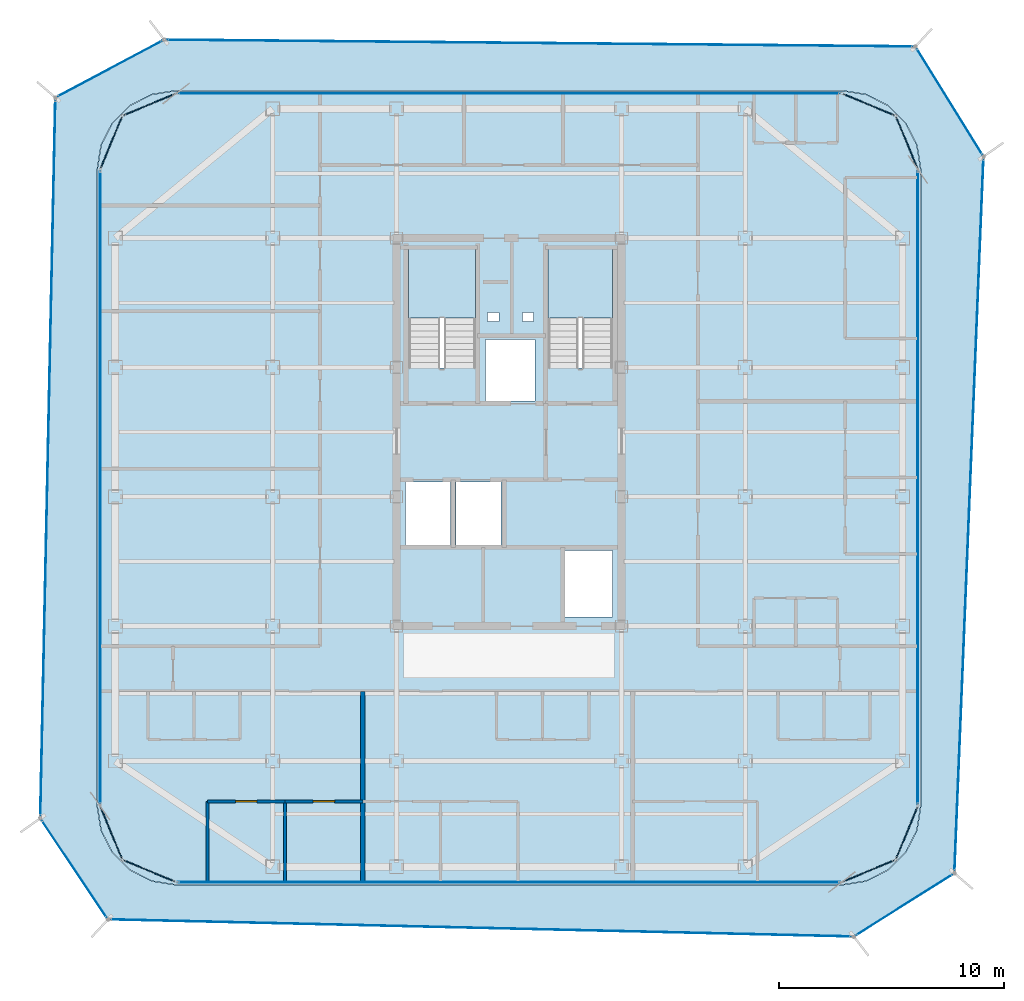
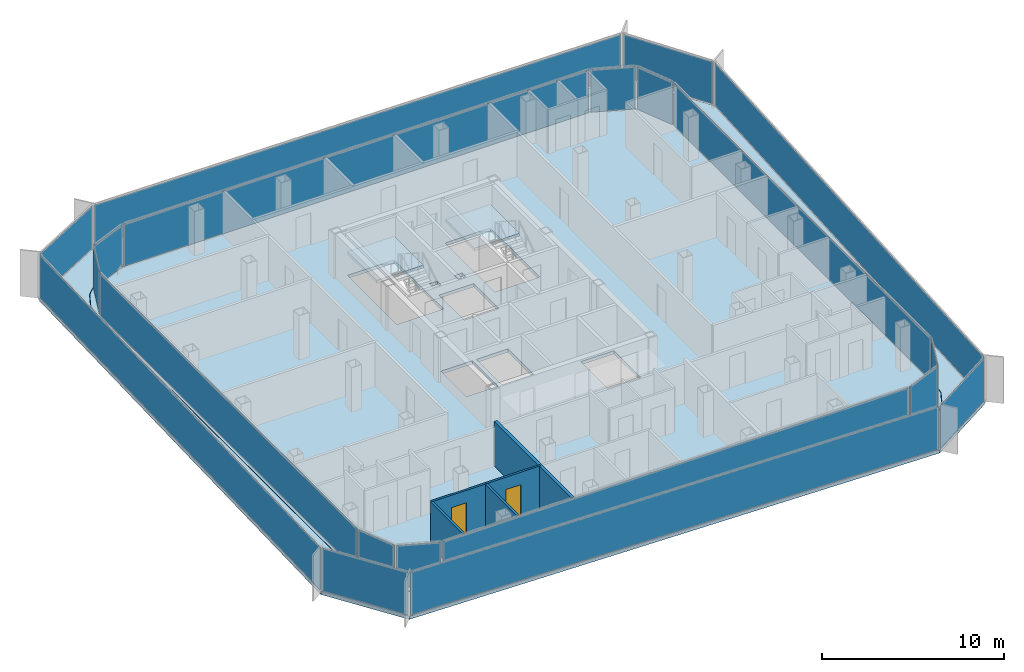
# One storey, part 9 of 15: 20 plates, 5 walls, 4 slabs, 2 doors, 2 openings, 22 elements without a shape of their own.
"""IFC4 building model written with IfcOpenShell, lengths in metres."""

from ifc_helpers import new_model, si_unit, direction, frame, frame_2d, origin, origin_2d, place, context, subcontext, project, spatial, polyline, rectangle, outline, extrude, source, transform, mapped, material, layer, layer_set, type_object, element, fill, aggregate, save


model = new_model("IFC4")

# Units and contexts
model_context = context("Model", 3, precision=1e-05, world=origin(), true_north=direction((0.0, 1.0)))
body_context = subcontext(model_context, "Body", "Model", "MODEL_VIEW")
ifc_project = project(units=[si_unit("LENGTHUNIT", "METRE"), si_unit("AREAUNIT", "SQUARE_METRE"), si_unit("VOLUMEUNIT", "CUBIC_METRE"), si_unit("PLANEANGLEUNIT", "RADIAN"), si_unit("MASSUNIT", "GRAM", prefix="KILO")], contexts=[model_context])

# Site, building, storey
site_placement = place(None, origin())
site = spatial("IfcSite", under=ifc_project, at=site_placement, CompositionType="ELEMENT")
building_placement = place(site_placement, origin())
building = spatial("IfcBuilding", under=site, at=building_placement, Name="Kolveth Station Tower", CompositionType="ELEMENT")
storey_placement = place(building_placement, frame((0.0, 0.0, 255.300048828125)))
storey = spatial("IfcBuildingStorey", under=building, at=storey_placement, Name="L73", CompositionType="ELEMENT", Elevation=255.300048828125)

# Slab
ifc_material_1 = material(Name="Concrete C40/50", Category="concrete")
ifc_layer_1 = layer(ifc_material_1, 0.219970703125)
ifc_layer_set_1 = layer_set([ifc_layer_1], Name="Concrete C40/50")
slab_type_1 = type_object("IfcSlabType", Name="Slab_SF-220", PredefinedType="FLOOR", material=ifc_layer_set_1)
slab_1_placement = place(storey_placement, frame((0.0, 0.0, -0.219970703125)))
element("IfcSlab", 1, at=slab_1_placement, inside=storey, type_object=slab_type_1, Name="L73 Tower Structural Floor Slab", PredefinedType="FLOOR", context=body_context, shape_type="SweptSolid", body=[
    extrude(outline(polyline([(38.300048828125, 0.0), (39.381591796875, 0.17138671875), (40.357177734375, 0.66845703125), (41.131591796875, 1.44287109375), (41.628662109375, 2.41845703125), (41.800048828125, 3.5), (41.800048828125, 31.800048828125), (41.628662109375, 32.881591796875), (41.131591796875, 33.857177734375), (40.357177734375, 34.631591796875), (39.381591796875, 35.128662109375), (38.300048828125, 35.300048828125), (8.699951171875, 35.300048828125), (7.618408203125, 35.128662109375), (6.642822265625, 34.631591796875), (5.868408203125, 33.857177734375), (5.371337890625, 32.881591796875), (5.199951171875, 31.800048828125), (5.199951171875, 3.5), (5.371337890625, 2.41845703125), (5.868408203125, 1.44287109375), (6.642822265625, 0.66845703125), (7.618408203125, 0.17138671875), (8.699951171875, 0.0), (38.300048828125, 0.0)]), holes=[polyline([(19.0400390625, 22.985107421875), (22.0, 22.985107421875), (22.0, 28.39990234375), (19.0400390625, 28.39990234375), (19.0400390625, 22.985107421875)]), polyline([(25.239990234375, 22.985107421875), (28.10009765625, 22.985107421875), (28.10009765625, 28.39990234375), (25.239990234375, 28.39990234375), (25.239990234375, 22.985107421875)]), polyline([(18.89990234375, 15.10009765625), (20.89990234375, 15.10009765625), (20.89990234375, 17.89990234375), (18.89990234375, 17.89990234375), (18.89990234375, 15.10009765625)]), polyline([(21.14990234375, 15.10009765625), (23.14990234375, 15.10009765625), (23.14990234375, 17.89990234375), (21.14990234375, 17.89990234375), (21.14990234375, 15.10009765625)]), polyline([(22.449951171875, 21.5), (24.64990234375, 21.5), (24.64990234375, 24.25), (22.449951171875, 24.25), (22.449951171875, 21.5)]), polyline([(26.0, 11.89990234375), (28.10009765625, 11.89990234375), (28.10009765625, 14.85009765625), (26.0, 14.85009765625), (26.0, 11.89990234375)]), polyline([(22.550048828125, 25.050048828125), (23.050048828125, 25.050048828125), (23.050048828125, 25.449951171875), (22.550048828125, 25.449951171875), (22.550048828125, 25.050048828125)]), polyline([(24.10009765625, 25.050048828125), (24.60009765625, 25.050048828125), (24.60009765625, 25.449951171875), (24.10009765625, 25.449951171875), (24.10009765625, 25.050048828125)])]), origin(), (0.0, 0.0, 1.0), 0.219970703125),
])

# Stair, slab
stair_type_1 = type_object("IfcStairType", Name="Stair_ST2", PredefinedType="HALF_TURN_STAIR", material=ifc_material_1)
stair_1_placement = place(storey_placement, origin())
stair_1 = element("IfcStair", 2, at=stair_1_placement, inside=storey, type_object=stair_type_1, Name="L73 Tower Exit Stair ST2", PredefinedType="HALF_TURN_STAIR")
ifc_layer_2 = layer(ifc_material_1, 0.18994140625)
ifc_layer_set_2 = layer_set([ifc_layer_2], Name="Concrete C40/50")
slab_type_2 = type_object("IfcSlabType", Name="Slab_SL-190", PredefinedType="LANDING", material=ifc_layer_set_2)
slab_2_placement = place(storey_placement, frame((0.0, 0.0, 1.39990234375)))
slab_2 = element("IfcSlab", 3, at=slab_2_placement, type_object=slab_type_2, Name="ST2 landing 1", PredefinedType="LANDING", context=body_context, shape_type="SweptSolid", body=[
    extrude(outline(polyline([(28.10009765625, 25.18994140625), (28.10009765625, 28.39990234375), (25.239990234375, 28.39990234375), (25.239990234375, 25.18994140625), (28.10009765625, 25.18994140625)])), origin(), (0.0, 0.0, 1.0), 0.199951171875),
])
aggregate(stair_1, [slab_2])

stair_type_2 = type_object("IfcStairType", Name="Stair_ST1", PredefinedType="HALF_TURN_STAIR", material=ifc_material_1)
stair_2_placement = place(storey_placement, origin())
stair_2 = element("IfcStair", 4, at=stair_2_placement, inside=storey, type_object=stair_type_2, Name="L73 Tower Exit Stair ST1", PredefinedType="HALF_TURN_STAIR")
ifc_layer_3 = layer(ifc_material_1, 0.205078125)
ifc_layer_set_3 = layer_set([ifc_layer_3], Name="Concrete C40/50")
slab_type_3 = type_object("IfcSlabType", Name="Slab_SL-205", PredefinedType="LANDING", material=ifc_layer_set_3)
slab_3_placement = place(storey_placement, frame((0.0, 0.0, 1.39990234375)))
slab_3 = element("IfcSlab", 5, at=slab_3_placement, type_object=slab_type_3, Name="ST1 landing 1", PredefinedType="LANDING", context=body_context, shape_type="SweptSolid", body=[
    extrude(outline(polyline([(22.0, 25.18994140625), (22.0, 28.39990234375), (19.0400390625, 28.39990234375), (19.0400390625, 25.18994140625), (22.0, 25.18994140625)])), origin(), (0.0, 0.0, 1.0), 0.199951171875),
])
aggregate(stair_2, [slab_3])

# Slab
ifc_layer_4 = layer(ifc_material_1, 0.2099609375)
ifc_layer_set_4 = layer_set([ifc_layer_4], Name="Concrete C40/50")
slab_type_4 = type_object("IfcSlabType", Name="Slab_ST-210", PredefinedType="FLOOR", material=ifc_layer_set_4)
slab_4_placement = place(storey_placement, frame((0.0, 0.0, -0.2099609375)))
element("IfcSlab", 6, at=slab_4_placement, inside=storey, type_object=slab_type_4, Name="L73 Double-Skin Cavity Structural Ledger Ring", PredefinedType="FLOOR", context=body_context, shape_type="SweptSolid", body=[
    extrude(outline(polyline([(5.673095703125, -1.5419921875), (2.663818359375, 2.955078125), (3.33447265625, 34.994140625), (8.174072265625, 37.5673828125), (41.569580078125, 37.26611328125), (44.60107421875, 32.377685546875), (43.3056640625, 0.511962890625), (38.830810546875, -2.30517578125), (5.673095703125, -1.5419921875)]), holes=[polyline([(38.30224609375, -0.014892578125), (39.3837890625, 0.156494140625), (39.388427734375, 0.157958984375), (40.364013671875, 0.655029296875), (40.367919921875, 0.65771484375), (41.14208984375, 1.43212890625), (41.14501953125, 1.43603515625), (41.64208984375, 2.41162109375), (41.6435546875, 2.416015625), (41.814697265625, 3.497802734375), (41.81494140625, 3.5), (41.81494140625, 31.800048828125), (41.814697265625, 31.80224609375), (41.6435546875, 32.8837890625), (41.64208984375, 32.888427734375), (41.14501953125, 33.864013671875), (41.14208984375, 33.867919921875), (40.367919921875, 34.64208984375), (40.364013671875, 34.64501953125), (39.388427734375, 35.14208984375), (39.3837890625, 35.1435546875), (38.30224609375, 35.314697265625), (38.300048828125, 35.31494140625), (8.699951171875, 35.31494140625), (8.69775390625, 35.314697265625), (7.6162109375, 35.1435546875), (7.611572265625, 35.14208984375), (6.635986328125, 34.64501953125), (6.632080078125, 34.64208984375), (5.85791015625, 33.867919921875), (5.85498046875, 33.864013671875), (5.35791015625, 32.888427734375), (5.3564453125, 32.8837890625), (5.185302734375, 31.80224609375), (5.18505859375, 31.800048828125), (5.18505859375, 3.5), (5.185302734375, 3.497802734375), (5.3564453125, 2.416015625), (5.35791015625, 2.41162109375), (5.85498046875, 1.43603515625), (5.85791015625, 1.43212890625), (6.632080078125, 0.65771484375), (6.635986328125, 0.655029296875), (7.611572265625, 0.157958984375), (7.6162109375, 0.156494140625), (8.69775390625, -0.014892578125), (8.699951171875, -0.014892578125), (38.300048828125, -0.014892578125), (38.30224609375, -0.014892578125)])]), origin(), (0.0, 0.0, 1.0), 0.2099609375),
])

# Curtain wall, plate
ifc_material_2 = material(Name="Aluminium 6063-T6 and triple low-E dark glass", Category="aluminium")
ifc_layer_5 = layer(ifc_material_2, 0.199951171875)
ifc_layer_set_5 = layer_set([ifc_layer_5], Name="Aluminium 6063-T6 and triple low-E dark glass")
curtain_wall_type_1 = type_object("IfcCurtainWallType", Name="CurtainWall_CW-Z3", PredefinedType="NOTDEFINED", material=ifc_layer_set_5)
curtain_wall_1_placement = place(storey_placement, origin())
curtain_wall_1 = element("IfcCurtainWall", 7, at=curtain_wall_1_placement, inside=storey, type_object=curtain_wall_type_1, Name="L73 Inner Thermal Curtain Wall 1", PredefinedType="NOTDEFINED")
ifc_material_3 = material(Name="Architectural low-E dark glass", Category="glass")
ifc_layer_6 = layer(ifc_material_3, 0.0419921875)
ifc_layer_set_6 = layer_set([ifc_layer_6], Name="Architectural low-E dark glass")
plate_type_1 = type_object("IfcPlateType", Name="Panel_GL3", PredefinedType="CURTAIN_PANEL", material=ifc_layer_set_6)
shared_shape_1 = source(origin(), body_context, "Body", "SweptSolid", [
    extrude(rectangle(XDim=2.430908203125, YDim=0.0419921875, at=origin_2d()), origin(), (0.0, 0.0, 1.0), 2.823974609375),
])
plate_1_placement = place(storey_placement, frame((39.4951171875, 0.614990234375, 0.078125), z_axis=(0.0, 0.0, 1.0), x_axis=(0.923875488975, 0.382693194181, 0.0)))
plate_1 = element("IfcPlate", 8, at=plate_1_placement, type_object=plate_type_1, Name="CW-Z3 panel 1.1", PredefinedType="CURTAIN_PANEL", context=body_context, shape_type="MappedRepresentation", body=[
    mapped(shared_shape_1, transform((0.0, 0.0, 0.0), x_axis=(1.0, 0.0, 0.0), y_axis=(0.0, 1.0, 0.0), z_axis=(0.0, 0.0, 1.0), scale=1.0)),
])
aggregate(curtain_wall_1, [plate_1])

curtain_wall_2_placement = place(storey_placement, origin())
curtain_wall_2 = element("IfcCurtainWall", 9, at=curtain_wall_2_placement, inside=storey, type_object=curtain_wall_type_1, Name="L73 Inner Thermal Curtain Wall 2", PredefinedType="NOTDEFINED")
plate_2_placement = place(storey_placement, frame((41.18505859375, 2.304931640625, 0.078125), z_axis=(0.0, 0.0, 1.0), x_axis=(0.382693194181, 0.923875488975, 0.0)))
plate_2 = element("IfcPlate", 10, at=plate_2_placement, type_object=plate_type_1, Name="CW-Z3 panel 1.1", PredefinedType="CURTAIN_PANEL", context=body_context, shape_type="MappedRepresentation", body=[
    mapped(shared_shape_1, transform((0.0, 0.0, 0.0), x_axis=(1.0, 0.0, 0.0), y_axis=(0.0, 1.0, 0.0), z_axis=(0.0, 0.0, 1.0), scale=1.0)),
])
aggregate(curtain_wall_2, [plate_2])

curtain_wall_3_placement = place(storey_placement, origin())
curtain_wall_3 = element("IfcCurtainWall", 11, at=curtain_wall_3_placement, inside=storey, type_object=curtain_wall_type_1, Name="L73 Inner Thermal Curtain Wall 4", PredefinedType="NOTDEFINED")
plate_3_placement = place(storey_placement, frame((41.18505859375, 32.9951171875, 0.078125), z_axis=(0.0, 0.0, 1.0), x_axis=(-0.382693194181, 0.923875488975, 0.0)))
plate_3 = element("IfcPlate", 12, at=plate_3_placement, type_object=plate_type_1, Name="CW-Z3 panel 1.1", PredefinedType="CURTAIN_PANEL", context=body_context, shape_type="MappedRepresentation", body=[
    mapped(shared_shape_1, transform((0.0, 0.0, 0.0), x_axis=(1.0, 0.0, 0.0), y_axis=(0.0, 1.0, 0.0), z_axis=(0.0, 0.0, 1.0), scale=1.0)),
])
aggregate(curtain_wall_3, [plate_3])

curtain_wall_4_placement = place(storey_placement, origin())
curtain_wall_4 = element("IfcCurtainWall", 13, at=curtain_wall_4_placement, inside=storey, type_object=curtain_wall_type_1, Name="L73 Inner Thermal Curtain Wall 5", PredefinedType="NOTDEFINED")
plate_4_placement = place(storey_placement, frame((39.4951171875, 34.68505859375, 0.078125), z_axis=(0.0, 0.0, 1.0), x_axis=(-0.923875488975, 0.382693194181, 0.0)))
plate_4 = element("IfcPlate", 14, at=plate_4_placement, type_object=plate_type_1, Name="CW-Z3 panel 1.1", PredefinedType="CURTAIN_PANEL", context=body_context, shape_type="MappedRepresentation", body=[
    mapped(shared_shape_1, transform((0.0, 0.0, 0.0), x_axis=(1.0, 0.0, 0.0), y_axis=(0.0, 1.0, 0.0), z_axis=(0.0, 0.0, 1.0), scale=1.0)),
])
aggregate(curtain_wall_4, [plate_4])

curtain_wall_5_placement = place(storey_placement, origin())
curtain_wall_5 = element("IfcCurtainWall", 15, at=curtain_wall_5_placement, inside=storey, type_object=curtain_wall_type_1, Name="L73 Inner Thermal Curtain Wall 7", PredefinedType="NOTDEFINED")
plate_5_placement = place(storey_placement, frame((7.5048828125, 34.68505859375, 0.078125), z_axis=(0.0, 0.0, 1.0), x_axis=(-0.923875488975, -0.382693194181, 0.0)))
plate_5 = element("IfcPlate", 16, at=plate_5_placement, type_object=plate_type_1, Name="CW-Z3 panel 1.1", PredefinedType="CURTAIN_PANEL", context=body_context, shape_type="MappedRepresentation", body=[
    mapped(shared_shape_1, transform((0.0, 0.0, 0.0), x_axis=(1.0, 0.0, 0.0), y_axis=(0.0, 1.0, 0.0), z_axis=(0.0, 0.0, 1.0), scale=1.0)),
])
aggregate(curtain_wall_5, [plate_5])

curtain_wall_6_placement = place(storey_placement, origin())
curtain_wall_6 = element("IfcCurtainWall", 17, at=curtain_wall_6_placement, inside=storey, type_object=curtain_wall_type_1, Name="L73 Inner Thermal Curtain Wall 8", PredefinedType="NOTDEFINED")
plate_6_placement = place(storey_placement, frame((5.81494140625, 32.9951171875, 0.078125), z_axis=(0.0, 0.0, 1.0), x_axis=(-0.382693194181, -0.923875488975, 0.0)))
plate_6 = element("IfcPlate", 18, at=plate_6_placement, type_object=plate_type_1, Name="CW-Z3 panel 1.1", PredefinedType="CURTAIN_PANEL", context=body_context, shape_type="MappedRepresentation", body=[
    mapped(shared_shape_1, transform((0.0, 0.0, 0.0), x_axis=(1.0, 0.0, 0.0), y_axis=(0.0, 1.0, 0.0), z_axis=(0.0, 0.0, 1.0), scale=1.0)),
])
aggregate(curtain_wall_6, [plate_6])

curtain_wall_7_placement = place(storey_placement, origin())
curtain_wall_7 = element("IfcCurtainWall", 19, at=curtain_wall_7_placement, inside=storey, type_object=curtain_wall_type_1, Name="L73 Inner Thermal Curtain Wall 10", PredefinedType="NOTDEFINED")
plate_7_placement = place(storey_placement, frame((5.81494140625, 2.304931640625, 0.078125), z_axis=(0.0, 0.0, 1.0), x_axis=(0.382693194181, -0.923875488975, 0.0)))
plate_7 = element("IfcPlate", 20, at=plate_7_placement, type_object=plate_type_1, Name="CW-Z3 panel 1.1", PredefinedType="CURTAIN_PANEL", context=body_context, shape_type="MappedRepresentation", body=[
    mapped(shared_shape_1, transform((0.0, 0.0, 0.0), x_axis=(1.0, 0.0, 0.0), y_axis=(0.0, 1.0, 0.0), z_axis=(0.0, 0.0, 1.0), scale=1.0)),
])
aggregate(curtain_wall_7, [plate_7])

curtain_wall_8_placement = place(storey_placement, origin())
curtain_wall_8 = element("IfcCurtainWall", 21, at=curtain_wall_8_placement, inside=storey, type_object=curtain_wall_type_1, Name="L73 Inner Thermal Curtain Wall 11", PredefinedType="NOTDEFINED")
plate_8_placement = place(storey_placement, frame((7.5048828125, 0.614990234375, 0.078125), z_axis=(0.0, 0.0, 1.0), x_axis=(0.923875488975, -0.382693194181, 0.0)))
plate_8 = element("IfcPlate", 22, at=plate_8_placement, type_object=plate_type_1, Name="CW-Z3 panel 1.1", PredefinedType="CURTAIN_PANEL", context=body_context, shape_type="MappedRepresentation", body=[
    mapped(shared_shape_1, transform((0.0, 0.0, 0.0), x_axis=(1.0, 0.0, 0.0), y_axis=(0.0, 1.0, 0.0), z_axis=(0.0, 0.0, 1.0), scale=1.0)),
])
aggregate(curtain_wall_8, [plate_8])

curtain_wall_9_placement = place(storey_placement, origin())
curtain_wall_9 = element("IfcCurtainWall", 23, at=curtain_wall_9_placement, inside=storey, type_object=curtain_wall_type_1, Name="L73 Inner Thermal Curtain Wall 3", PredefinedType="NOTDEFINED")
shared_shape_2 = source(origin(), body_context, "Body", "SweptSolid", [
    extrude(rectangle(XDim=28.14404296875, YDim=0.0419921875, at=origin_2d()), origin(), (0.0, 0.0, 1.0), 2.823974609375),
])
plate_9_placement = place(storey_placement, frame((41.679931640625, 17.64990234375, 0.078125), z_axis=(0.0, 0.0, 1.0), x_axis=(0.0, 1.0, 0.0)))
plate_9 = element("IfcPlate", 24, at=plate_9_placement, type_object=plate_type_1, Name="CW-Z3 panel 1.1", PredefinedType="CURTAIN_PANEL", context=body_context, shape_type="MappedRepresentation", body=[
    mapped(shared_shape_2, transform((0.0, 0.0, 0.0), x_axis=(1.0, 0.0, 0.0), y_axis=(0.0, 1.0, 0.0), z_axis=(0.0, 0.0, 1.0), scale=1.0)),
])
aggregate(curtain_wall_9, [plate_9])

curtain_wall_10_placement = place(storey_placement, origin())
curtain_wall_10 = element("IfcCurtainWall", 25, at=curtain_wall_10_placement, inside=storey, type_object=curtain_wall_type_1, Name="L73 Inner Thermal Curtain Wall 9", PredefinedType="NOTDEFINED")
plate_10_placement = place(storey_placement, frame((5.320068359375, 17.64990234375, 0.078125), z_axis=(0.0, 0.0, 1.0), x_axis=(0.0, -1.0, 0.0)))
plate_10 = element("IfcPlate", 26, at=plate_10_placement, type_object=plate_type_1, Name="CW-Z3 panel 1.1", PredefinedType="CURTAIN_PANEL", context=body_context, shape_type="MappedRepresentation", body=[
    mapped(shared_shape_2, transform((0.0, 0.0, 0.0), x_axis=(1.0, 0.0, 0.0), y_axis=(0.0, 1.0, 0.0), z_axis=(0.0, 0.0, 1.0), scale=1.0)),
])
aggregate(curtain_wall_10, [plate_10])

curtain_wall_11_placement = place(storey_placement, origin())
curtain_wall_11 = element("IfcCurtainWall", 27, at=curtain_wall_11_placement, inside=storey, type_object=curtain_wall_type_1, Name="L73 Inner Thermal Curtain Wall 6", PredefinedType="NOTDEFINED")
shared_shape_3 = source(origin(), body_context, "Body", "SweptSolid", [
    extrude(rectangle(XDim=29.444091796875, YDim=0.0419921875, at=origin_2d()), origin(), (0.0, 0.0, 1.0), 2.823974609375),
])
plate_11_placement = place(storey_placement, frame((23.5, 35.179931640625, 0.078125), z_axis=(0.0, 0.0, 1.0), x_axis=(-1.0, 0.0, 0.0)))
plate_11 = element("IfcPlate", 28, at=plate_11_placement, type_object=plate_type_1, Name="CW-Z3 panel 1.1", PredefinedType="CURTAIN_PANEL", context=body_context, shape_type="MappedRepresentation", body=[
    mapped(shared_shape_3, transform((0.0, 0.0, 0.0), x_axis=(1.0, 0.0, 0.0), y_axis=(0.0, 1.0, 0.0), z_axis=(0.0, 0.0, 1.0), scale=1.0)),
])
aggregate(curtain_wall_11, [plate_11])

curtain_wall_12_placement = place(storey_placement, origin())
curtain_wall_12 = element("IfcCurtainWall", 29, at=curtain_wall_12_placement, inside=storey, type_object=curtain_wall_type_1, Name="L73 Inner Thermal Curtain Wall 12", PredefinedType="NOTDEFINED")
plate_12_placement = place(storey_placement, frame((23.5, 0.1201171875, 0.078125), z_axis=(0.0, 0.0, 1.0), x_axis=(1.0, 0.0, 0.0)))
plate_12 = element("IfcPlate", 30, at=plate_12_placement, type_object=plate_type_1, Name="CW-Z3 panel 1.1", PredefinedType="CURTAIN_PANEL", context=body_context, shape_type="MappedRepresentation", body=[
    mapped(shared_shape_3, transform((0.0, 0.0, 0.0), x_axis=(1.0, 0.0, 0.0), y_axis=(0.0, 1.0, 0.0), z_axis=(0.0, 0.0, 1.0), scale=1.0)),
])
aggregate(curtain_wall_12, [plate_12])

ifc_material_4 = material(Name="Black anodized aluminium 6063-T6 and dark solar glass", Category="aluminium")
ifc_layer_7 = layer(ifc_material_4, 0.159912109375)
ifc_layer_set_7 = layer_set([ifc_layer_7], Name="Black anodized aluminium 6063-T6 and dark solar glass")
curtain_wall_type_2 = type_object("IfcCurtainWallType", Name="OUTER SKIN CW-OS", PredefinedType="NOTDEFINED", material=ifc_layer_set_7)
curtain_wall_13_placement = place(storey_placement, origin())
curtain_wall_13 = element("IfcCurtainWall", 31, at=curtain_wall_13_placement, inside=storey, type_object=curtain_wall_type_2, Name="L73 Outer Ventilated Skin Curtain Wall 1", PredefinedType="NOTDEFINED")
ifc_layer_8 = layer(ifc_material_3, 0.028076171875)
ifc_layer_set_8 = layer_set([ifc_layer_8], Name="Architectural low-E dark glass")
plate_type_2 = type_object("IfcPlateType", Name="Panel_GL-OS", PredefinedType="CURTAIN_PANEL", material=ifc_layer_set_8)
shared_shape_4 = source(origin(), body_context, "Body", "SweptSolid", [
    extrude(rectangle(XDim=5.121826171875, YDim=0.028076171875, at=origin_2d()), origin(), (0.0, 0.0, 1.0), 2.843994140625),
])
plate_13_placement = place(storey_placement, frame((41.068115234375, -0.896484375, 0.07275390625), z_axis=(0.0, 0.0, 1.0), x_axis=(0.846274839581, 0.532746558781, 0.0)))
plate_13 = element("IfcPlate", 32, at=plate_13_placement, type_object=plate_type_2, Name="CW-OS panel 1.1", PredefinedType="CURTAIN_PANEL", context=body_context, shape_type="MappedRepresentation", body=[
    mapped(shared_shape_4, transform((0.0, 0.0, 0.0), x_axis=(1.0, 0.0, 0.0), y_axis=(0.0, 1.0, 0.0), z_axis=(0.0, 0.0, 1.0), scale=1.0)),
])
aggregate(curtain_wall_13, [plate_13])

curtain_wall_14_placement = place(storey_placement, origin())
curtain_wall_14 = element("IfcCurtainWall", 33, at=curtain_wall_14_placement, inside=storey, type_object=curtain_wall_type_2, Name="L73 Outer Ventilated Skin Curtain Wall 2", PredefinedType="NOTDEFINED")
shared_shape_5 = source(origin(), body_context, "Body", "SweptSolid", [
    extrude(rectangle(XDim=31.72607421875, YDim=0.028076171875, at=origin_2d()), origin(), (0.0, 0.0, 1.0), 2.843994140625),
])
plate_14_placement = place(storey_placement, frame((43.953369140625, 16.44482421875, 0.07275390625), z_axis=(0.0, 0.0, 1.0), x_axis=(0.040618184996, 0.999174740998, 0.0)))
plate_14 = element("IfcPlate", 34, at=plate_14_placement, type_object=plate_type_2, Name="CW-OS panel 1.1", PredefinedType="CURTAIN_PANEL", context=body_context, shape_type="MappedRepresentation", body=[
    mapped(shared_shape_5, transform((0.0, 0.0, 0.0), x_axis=(1.0, 0.0, 0.0), y_axis=(0.0, 1.0, 0.0), z_axis=(0.0, 0.0, 1.0), scale=1.0)),
])
aggregate(curtain_wall_14, [plate_14])

curtain_wall_15_placement = place(storey_placement, origin())
curtain_wall_15 = element("IfcCurtainWall", 35, at=curtain_wall_15_placement, inside=storey, type_object=curtain_wall_type_2, Name="L73 Outer Ventilated Skin Curtain Wall 3", PredefinedType="NOTDEFINED")
shared_shape_6 = source(origin(), body_context, "Body", "SweptSolid", [
    extrude(rectangle(XDim=5.5859375, YDim=0.028076171875, at=origin_2d()), origin(), (0.0, 0.0, 1.0), 2.843994140625),
])
plate_15_placement = place(storey_placement, frame((43.08544921875, 34.822021484375, 0.07275390625), z_axis=(0.0, 0.0, 1.0), x_axis=(-0.527034352759, 0.849843980394, 0.0)))
plate_15 = element("IfcPlate", 36, at=plate_15_placement, type_object=plate_type_2, Name="CW-OS panel 1.1", PredefinedType="CURTAIN_PANEL", context=body_context, shape_type="MappedRepresentation", body=[
    mapped(shared_shape_6, transform((0.0, 0.0, 0.0), x_axis=(1.0, 0.0, 0.0), y_axis=(0.0, 1.0, 0.0), z_axis=(0.0, 0.0, 1.0), scale=1.0)),
])
aggregate(curtain_wall_15, [plate_15])

curtain_wall_16_placement = place(storey_placement, origin())
curtain_wall_16 = element("IfcCurtainWall", 37, at=curtain_wall_16_placement, inside=storey, type_object=curtain_wall_type_2, Name="L73 Outer Ventilated Skin Curtain Wall 4", PredefinedType="NOTDEFINED")
shared_shape_7 = source(origin(), body_context, "Body", "SweptSolid", [
    extrude(rectangle(XDim=33.23095703125, YDim=0.028076171875, at=origin_2d()), origin(), (0.0, 0.0, 1.0), 2.843994140625),
])
plate_16_placement = place(storey_placement, frame((24.871826171875, 37.416748046875, 0.07275390625), z_axis=(0.0, 0.0, 1.0), x_axis=(-0.99995930292, 0.009021779458, 0.0)))
plate_16 = element("IfcPlate", 38, at=plate_16_placement, type_object=plate_type_2, Name="CW-OS panel 1.1", PredefinedType="CURTAIN_PANEL", context=body_context, shape_type="MappedRepresentation", body=[
    mapped(shared_shape_7, transform((0.0, 0.0, 0.0), x_axis=(1.0, 0.0, 0.0), y_axis=(0.0, 1.0, 0.0), z_axis=(0.0, 0.0, 1.0), scale=1.0)),
])
aggregate(curtain_wall_16, [plate_16])

curtain_wall_17_placement = place(storey_placement, origin())
curtain_wall_17 = element("IfcCurtainWall", 39, at=curtain_wall_17_placement, inside=storey, type_object=curtain_wall_type_2, Name="L73 Outer Ventilated Skin Curtain Wall 5", PredefinedType="NOTDEFINED")
shared_shape_8 = source(origin(), body_context, "Body", "SweptSolid", [
    extrude(rectangle(XDim=5.315185546875, YDim=0.028076171875, at=origin_2d()), origin(), (0.0, 0.0, 1.0), 2.843994140625),
])
plate_17_placement = place(storey_placement, frame((5.754150390625, 36.28076171875, 0.07275390625), z_axis=(0.0, 0.0, 1.0), x_axis=(-0.882948182338, -0.469470454135, 0.0)))
plate_17 = element("IfcPlate", 40, at=plate_17_placement, type_object=plate_type_2, Name="CW-OS panel 1.1", PredefinedType="CURTAIN_PANEL", context=body_context, shape_type="MappedRepresentation", body=[
    mapped(shared_shape_8, transform((0.0, 0.0, 0.0), x_axis=(1.0, 0.0, 0.0), y_axis=(0.0, 1.0, 0.0), z_axis=(0.0, 0.0, 1.0), scale=1.0)),
])
aggregate(curtain_wall_17, [plate_17])

curtain_wall_18_placement = place(storey_placement, origin())
curtain_wall_18 = element("IfcCurtainWall", 41, at=curtain_wall_18_placement, inside=storey, type_object=curtain_wall_type_2, Name="L73 Outer Ventilated Skin Curtain Wall 6", PredefinedType="NOTDEFINED")
shared_shape_9 = source(origin(), body_context, "Body", "SweptSolid", [
    extrude(rectangle(XDim=31.880126953125, YDim=0.028076171875, at=origin_2d()), origin(), (0.0, 0.0, 1.0), 2.843994140625),
])
plate_18_placement = place(storey_placement, frame((2.999267578125, 18.974609375, 0.07275390625), z_axis=(0.0, 0.0, 1.0), x_axis=(-0.02092609205, -0.999781025361, 0.0)))
plate_18 = element("IfcPlate", 42, at=plate_18_placement, type_object=plate_type_2, Name="CW-OS panel 1.1", PredefinedType="CURTAIN_PANEL", context=body_context, shape_type="MappedRepresentation", body=[
    mapped(shared_shape_9, transform((0.0, 0.0, 0.0), x_axis=(1.0, 0.0, 0.0), y_axis=(0.0, 1.0, 0.0), z_axis=(0.0, 0.0, 1.0), scale=1.0)),
])
aggregate(curtain_wall_18, [plate_18])

curtain_wall_19_placement = place(storey_placement, origin())
curtain_wall_19 = element("IfcCurtainWall", 43, at=curtain_wall_19_placement, inside=storey, type_object=curtain_wall_type_2, Name="L73 Outer Ventilated Skin Curtain Wall 7", PredefinedType="NOTDEFINED")
shared_shape_10 = source(origin(), body_context, "Body", "SweptSolid", [
    extrude(rectangle(XDim=5.244873046875, YDim=0.028076171875, at=origin_2d()), origin(), (0.0, 0.0, 1.0), 2.843994140625),
])
plate_19_placement = place(storey_placement, frame((4.16845703125, 0.70654296875, 0.07275390625), z_axis=(0.0, 0.0, 1.0), x_axis=(0.556132367324, -0.831093731185, 0.0)))
plate_19 = element("IfcPlate", 44, at=plate_19_placement, type_object=plate_type_2, Name="CW-OS panel 1.1", PredefinedType="CURTAIN_PANEL", context=body_context, shape_type="MappedRepresentation", body=[
    mapped(shared_shape_10, transform((0.0, 0.0, 0.0), x_axis=(1.0, 0.0, 0.0), y_axis=(0.0, 1.0, 0.0), z_axis=(0.0, 0.0, 1.0), scale=1.0)),
])
aggregate(curtain_wall_19, [plate_19])

curtain_wall_20_placement = place(storey_placement, origin())
curtain_wall_20 = element("IfcCurtainWall", 45, at=curtain_wall_20_placement, inside=storey, type_object=curtain_wall_type_2, Name="L73 Outer Ventilated Skin Curtain Wall 8", PredefinedType="NOTDEFINED")
shared_shape_11 = source(origin(), body_context, "Body", "SweptSolid", [
    extrude(rectangle(XDim=33.00048828125, YDim=0.028076171875, at=origin_2d()), origin(), (0.0, 0.0, 1.0), 2.843994140625),
])
plate_20_placement = place(storey_placement, frame((22.251953125, -1.923583984375, 0.07275390625), z_axis=(0.0, 0.0, 1.0), x_axis=(0.999735206069, -0.023011252601, 0.0)))
plate_20 = element("IfcPlate", 46, at=plate_20_placement, type_object=plate_type_2, Name="CW-OS panel 1.1", PredefinedType="CURTAIN_PANEL", context=body_context, shape_type="MappedRepresentation", body=[
    mapped(shared_shape_11, transform((0.0, 0.0, 0.0), x_axis=(1.0, 0.0, 0.0), y_axis=(0.0, 1.0, 0.0), z_axis=(0.0, 0.0, 1.0), scale=1.0)),
])
aggregate(curtain_wall_20, [plate_20])

# Wall
ifc_material_5 = material(Name="Moisture-resistant gypsum partition")
ifc_layer_9 = layer(ifc_material_5, 0.135009765625)
ifc_layer_set_9 = layer_set([ifc_layer_9], Name="Moisture-resistant gypsum partition")
wall_type_1 = type_object("IfcWallType", Name="Wall_IW-135", PredefinedType="PARTITIONING", material=ifc_layer_set_9)
wall_1_placement = place(storey_placement, frame((10.10009765625, 0.159912109375, 0.0), z_axis=(0.0, 0.0, 1.0), x_axis=(0.0, 1.0, 0.0)))
element("IfcWall", 47, at=wall_1_placement, inside=storey, type_object=wall_type_1, Name="L73 Partition Wall WL-L73-A1-BDV0", PredefinedType="PARTITIONING", context=body_context, shape_type="SweptSolid", body=[
    extrude(rectangle(XDim=3.550048828125, YDim=0.135009765625, at=frame_2d((1.77490234375, 0.0))), origin(), (0.0, 0.0, 1.0), 2.97998046875),
])

# Wall, opening, door
wall_2_placement = place(storey_placement, frame((10.10009765625, 3.7099609375, 0.0), z_axis=(0.0, 0.0, 1.0), x_axis=(1.0, 0.0, 0.0)))
wall_2 = element("IfcWall", 48, at=wall_2_placement, inside=storey, type_object=wall_type_1, Name="L73 Partition Wall WL-L73-A1-BDH1", PredefinedType="PARTITIONING", context=body_context, shape_type="SweptSolid", body=[
    extrude(rectangle(XDim=3.449951171875, YDim=0.135009765625, at=frame_2d((1.72509765625, 0.0))), origin(), (0.0, 0.0, 1.0), 2.97998046875),
])
opening_1_placement = place(wall_2_placement, frame((1.2451171875, 0.0, 0.0)))
opening_1 = element("IfcOpeningElement", 49, at=opening_1_placement, cuts=wall_2, Name="Opening ID1", PredefinedType="OPENING", context=body_context, shape_type="SweptSolid", body=[
    extrude(rectangle(XDim=0.949951171875, YDim=2.14990234375, at=frame_2d((0.47509765625, 1.074951171875))), frame((0.0, 0.077392578125, 0.0), z_axis=(0.0, -1.0, 0.0), x_axis=(1.0, 0.0, 0.0)), (0.0, 0.0, 1.0), 0.155029296875),
])
ifc_material_6 = material(Name="Acoustic hardwood leaf and aluminium frame", Category="wood")
door_type = type_object("IfcDoorType", Name="Door_ID1", OperationType="NOTDEFINED", PredefinedType="DOOR", material=ifc_material_6)
door_1_placement = place(opening_1_placement, frame((0.949951171875, 0.0, 0.0), z_axis=(0.0, 0.0, 1.0), x_axis=(-1.0, 0.0, 0.0)))
door_1 = element("IfcDoor", 50, at=door_1_placement, inside=storey, type_object=door_type, Name="Flat L73-A1 Bedroom 1 Door", OperationType="SINGLE_SWING_RIGHT", OverallHeight=2.14990234375, OverallWidth=0.949951171875, PredefinedType="DOOR", context=body_context, shape_type="SweptSolid", body=[
    extrude(rectangle(XDim=0.949951171875, YDim=2.14990234375, at=frame_2d((0.47509765625, 1.074951171875))), frame((0.0, 0.02490234375, 0.0), z_axis=(0.0, -1.0, 0.0), x_axis=(1.0, 0.0, 0.0)), (0.0, 0.0, 1.0), 0.050048828125),
])
fill(opening_1, door_1)

wall_3_placement = place(storey_placement, frame((13.550048828125, 3.7099609375, 0.0), z_axis=(0.0, 0.0, 1.0), x_axis=(1.0, 0.0, 0.0)))
wall_3 = element("IfcWall", 51, at=wall_3_placement, inside=storey, type_object=wall_type_1, Name="L73 Partition Wall WL-L73-A1-BDH2", PredefinedType="PARTITIONING", context=body_context, shape_type="SweptSolid", body=[
    extrude(rectangle(XDim=3.449951171875, YDim=0.135009765625, at=frame_2d((1.72509765625, 0.0))), origin(), (0.0, 0.0, 1.0), 2.97998046875),
])
opening_2_placement = place(wall_3_placement, frame((1.2451171875, 0.0, 0.0)))
opening_2 = element("IfcOpeningElement", 52, at=opening_2_placement, cuts=wall_3, Name="Opening ID1", PredefinedType="OPENING", context=body_context, shape_type="SweptSolid", body=[
    extrude(rectangle(XDim=0.949951171875, YDim=2.14990234375, at=frame_2d((0.47509765625, 1.074951171875))), frame((0.0, 0.077392578125, 0.0), z_axis=(0.0, -1.0, 0.0), x_axis=(1.0, 0.0, 0.0)), (0.0, 0.0, 1.0), 0.155029296875),
])
door_2_placement = place(opening_2_placement, frame((0.949951171875, 0.0, 0.0), z_axis=(0.0, 0.0, 1.0), x_axis=(-1.0, 0.0, 0.0)))
door_2 = element("IfcDoor", 53, at=door_2_placement, inside=storey, type_object=door_type, Name="Flat L73-A1 Bedroom 2 Door", OperationType="SINGLE_SWING_LEFT", OverallHeight=2.14990234375, OverallWidth=0.949951171875, PredefinedType="DOOR", context=body_context, shape_type="SweptSolid", body=[
    extrude(rectangle(XDim=0.949951171875, YDim=2.14990234375, at=frame_2d((0.47509765625, 1.074951171875))), frame((0.0, 0.02490234375, 0.0), z_axis=(0.0, -1.0, 0.0), x_axis=(1.0, 0.0, 0.0)), (0.0, 0.0, 1.0), 0.050048828125),
])
fill(opening_2, door_2)

# Walls
wall_4_placement = place(storey_placement, frame((13.550048828125, 0.159912109375, 0.0), z_axis=(0.0, 0.0, 1.0), x_axis=(0.0, 1.0, 0.0)))
element("IfcWall", 54, at=wall_4_placement, inside=storey, type_object=wall_type_1, Name="L73 Partition Wall WL-L73-A1-BDV1", PredefinedType="PARTITIONING", context=body_context, shape_type="SweptSolid", body=[
    extrude(rectangle(XDim=3.550048828125, YDim=0.135009765625, at=frame_2d((1.77490234375, 0.0))), origin(), (0.0, 0.0, 1.0), 2.97998046875),
])
ifc_material_7 = material(Name="Acoustic fire-rated gypsum blockwork", Category="masonry")
ifc_layer_10 = layer(ifc_material_7, 0.199951171875)
ifc_layer_set_10 = layer_set([ifc_layer_10], Name="Acoustic fire-rated gypsum blockwork")
wall_type_2 = type_object("IfcWallType", Name="Wall_IW-200", PredefinedType="PARTITIONING", material=ifc_layer_set_10)
wall_5_placement = place(storey_placement, frame((17.0, 0.159912109375, 0.0), z_axis=(0.0, 0.0, 1.0), x_axis=(0.0, 1.0, 0.0)))
element("IfcWall", 55, at=wall_5_placement, inside=storey, type_object=wall_type_2, Name="L73 Partition Wall WL-L73-RSU-1", PredefinedType="PARTITIONING", context=body_context, shape_type="SweptSolid", body=[
    extrude(rectangle(XDim=8.440185546875, YDim=0.199951171875, at=frame_2d((4.22021484375, 0.0))), origin(), (0.0, 0.0, 1.0), 2.97998046875),
])

save(model, "model.ifc")
